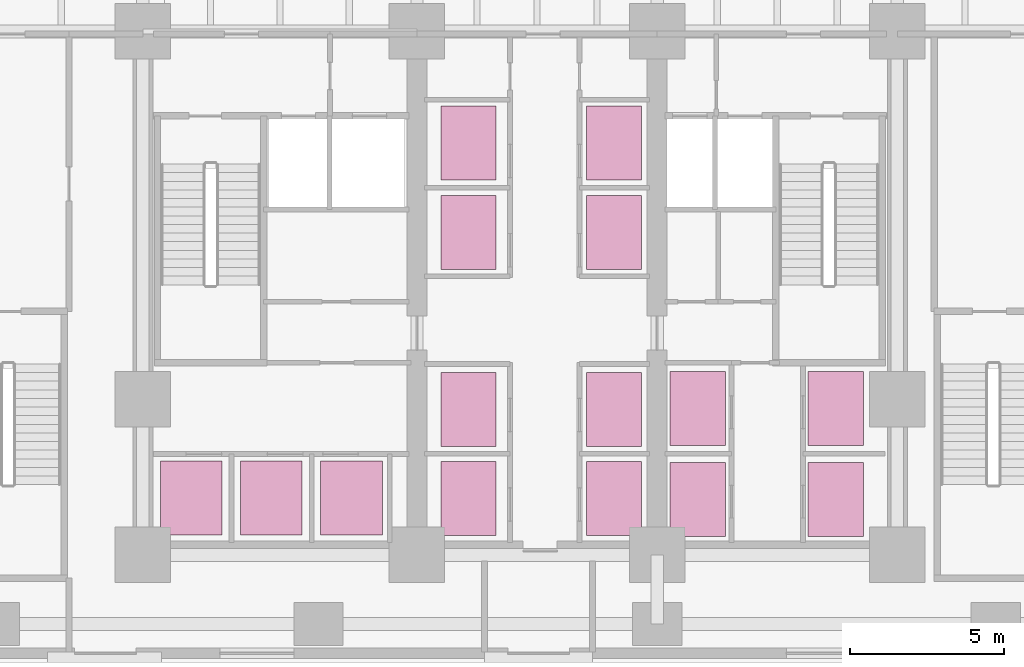
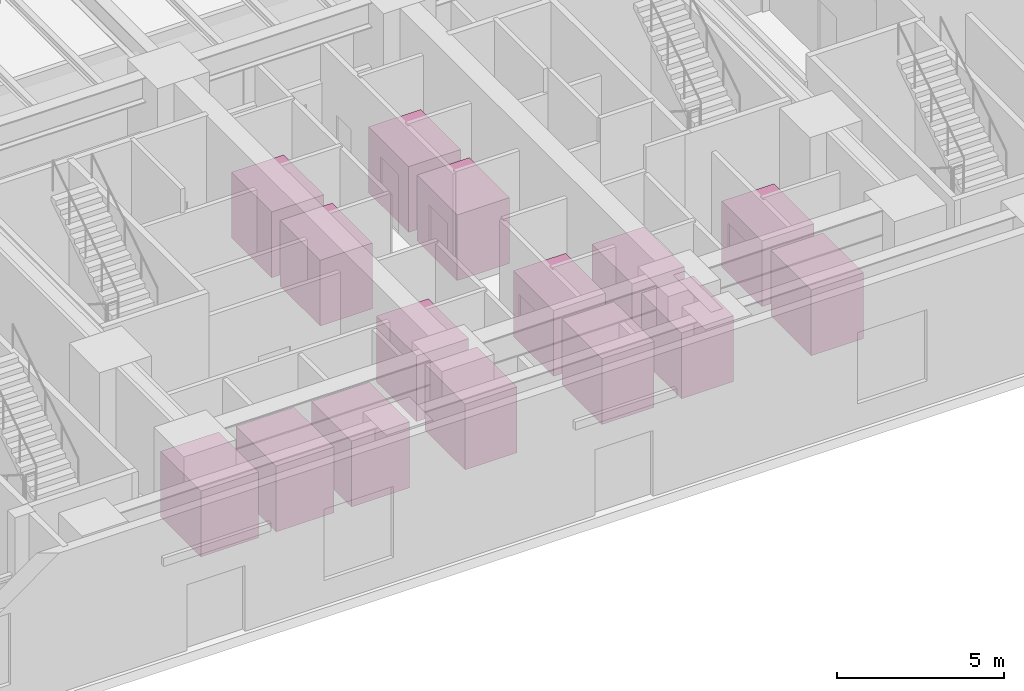
# One storey, part 19 of 19: 15 transport elements.
"""IFC4 building model written with IfcOpenShell, lengths in metres."""

import ifcopenshell
import ifcopenshell.guid

model = None  # the IFC model being written
_history = None  # IfcOwnerHistory: only IFC2X3 demands one
_inside = {}  # id of a spatial element -> (the spatial element, [elements in it])
_under = {}  # id of a project, library or spatial element -> (it, [spatial elements below it])
_declared = {}  # id of a project -> (the project, [libraries it declares])
_typed = {}  # id of a type object -> (the type object, [elements of that type])
_made_of = {}  # id of a material, layer set ... -> (it, [elements and type objects made of it])


def new_model(schema):
    """Start an empty IFC model of exactly this schema.

    Asked for "IFC4X3", IfcOpenShell would pick the latest addendum, in which some entities
    have other attributes; the version numbers below select the first issue.
    IFC2X3 requires an IfcOwnerHistory on every rooted entity: one is made here for all.
    """
    global model, _history
    if schema == "IFC4X3":
        model = ifcopenshell.file(schema_version=(4, 3, 0, 0))
    else:
        model = ifcopenshell.file(schema=schema)
    _inside.clear()
    _under.clear()
    _declared.clear()
    _typed.clear()
    _made_of.clear()
    _history = None
    if model.schema == "IFC2X3":
        org = make("IfcOrganization", Name="unknown")
        user = make(
            "IfcPersonAndOrganization",
            ThePerson=make("IfcPerson", FamilyName="unknown"),
            TheOrganization=org,
        )
        app = make(
            "IfcApplication",
            ApplicationDeveloper=org,
            Version="unknown",
            ApplicationFullName="unknown",
            ApplicationIdentifier="unknown",
        )
        _history = make(
            "IfcOwnerHistory",
            OwningUser=user,
            OwningApplication=app,
            ChangeAction="ADDED",
            CreationDate=0,
        )
    return model


def make(cls, **values):
    """One entity of the class cls with the attributes given. An attribute that is None is left unset."""
    return model.create_entity(
        cls, **{name: value for name, value in values.items() if value is not None}
    )


def rooted(cls, **values):
    """An entity with a GlobalId (a new one), such as an element, a storey or a relation."""
    return make(cls, GlobalId=ifcopenshell.guid.new(), OwnerHistory=_history, **values)


def si_unit(unit_type, name, prefix=None):
    """IfcSIUnit, for example si_unit("LENGTHUNIT", "METRE", prefix="MILLI")."""
    return make("IfcSIUnit", UnitType=unit_type, Prefix=prefix, Name=name)


def assignment(units):
    """IfcUnitAssignment: the units of a project."""
    return None if units is None else make("IfcUnitAssignment", Units=units)


def point(xyz):
    """IfcCartesianPoint."""
    return None if xyz is None else make("IfcCartesianPoint", Coordinates=xyz)


def direction(xyz):
    """IfcDirection."""
    return None if xyz is None else make("IfcDirection", DirectionRatios=xyz)


def frame(location, z_axis=None, x_axis=None):
    """IfcAxis2Placement3D, a coordinate frame: its origin and axes. An axis left out is left unset."""
    return make(
        "IfcAxis2Placement3D",
        Location=point(location),
        Axis=direction(z_axis),
        RefDirection=direction(x_axis),
    )


def origin():
    """The frame at (0, 0, 0) with its axes left unset."""
    return frame((0.0, 0.0, 0.0))


def place(relative_to, where):
    """IfcLocalPlacement: puts the frame where relative to a parent placement (None: the world)."""
    return make(
        "IfcLocalPlacement", PlacementRelTo=relative_to, RelativePlacement=where
    )


def context(
    kind, dimensions, precision=None, world=None, true_north=None, identifier=None
):
    """IfcGeometricRepresentationContext, for example the 3D "Model" context."""
    return make(
        "IfcGeometricRepresentationContext",
        ContextIdentifier=identifier,
        ContextType=kind,
        CoordinateSpaceDimension=dimensions,
        Precision=precision,
        WorldCoordinateSystem=world,
        TrueNorth=true_north,
    )


def subcontext(parent, identifier, kind, view, scale=None):
    """IfcGeometricRepresentationSubContext, for example "Body" below "Model"."""
    return make(
        "IfcGeometricRepresentationSubContext",
        ContextIdentifier=identifier,
        ContextType=kind,
        ParentContext=parent,
        TargetScale=scale,
        TargetView=view,
    )


def project(units=None, contexts=None):
    """IfcProject with its units and contexts."""
    return rooted(
        "IfcProject",
        Name="project",
        RepresentationContexts=contexts,
        UnitsInContext=assignment(units),
    )


def spatial(cls, under=None, at=None, **own):
    """A site, building, storey or space (cls), placed at a placement, below another one or the project."""
    s = rooted(cls, ObjectPlacement=at, **own)
    if under is not None:
        _under.setdefault(under.id(), (under, []))[1].append(s)
    return s


def polyline(points):
    """IfcPolyline through the points."""
    return make("IfcPolyline", Points=[point(p) for p in points])


def outline(outer, holes=None, kind="AREA"):
    """IfcArbitraryClosedProfileDef: a profile drawn as a closed curve; with holes, ...WithVoids."""
    if holes is None:
        return make("IfcArbitraryClosedProfileDef", ProfileType=kind, OuterCurve=outer)
    return make(
        "IfcArbitraryProfileDefWithVoids",
        ProfileType=kind,
        OuterCurve=outer,
        InnerCurves=holes,
    )


def extrude(swept, where, along, depth):
    """IfcExtrudedAreaSolid: the profile swept, set in the frame where, extruded along a direction by depth."""
    return make(
        "IfcExtrudedAreaSolid",
        SweptArea=swept,
        Position=where,
        ExtrudedDirection=direction(along),
        Depth=depth,
    )


def shape(context_of_items, identifier, shape_type, items):
    """IfcShapeRepresentation: the items that make up one representation, for example the "Body"."""
    return make(
        "IfcShapeRepresentation",
        ContextOfItems=context_of_items,
        RepresentationIdentifier=identifier,
        RepresentationType=shape_type,
        Items=items,
    )


def material(Name=None, Category=None):
    """IfcMaterial."""
    return make("IfcMaterial", Name=Name, Category=Category)


def made_of(thing, what):
    """Note that an element or type object is made of a material, layer set ...; save() writes the relation."""
    if what is not None:
        _made_of.setdefault(what.id(), (what, []))[1].append(thing)
    return thing


def type_object(cls, material=None, **own):
    """A type object (cls), such as IfcWallType, which elements share."""
    return made_of(rooted(cls, **own), material)


def element(
    cls,
    number,
    at=None,
    inside=None,
    cuts=None,
    type_object=None,
    material=None,
    context=None,
    identifier="Body",
    shape_type=None,
    held_by="IfcProductDefinitionShape",
    body=None,
    shapes=None,
    **own,
):
    """One element of the class cls, such as IfcWall. Its Tag is "e" and its number.

    at: its placement. inside: the storey or other place that contains it. cuts: it is an
    opening in that element (IfcRelVoidsElement). A single representation is given by context,
    identifier, shape_type and body (its items); several are given by shapes. held_by: the class
    of the entity that holds the representations. save() writes the other relations.
    """
    e = rooted(cls, Tag="e%d" % number, ObjectPlacement=at, **own)
    if body is not None:
        shapes = [shape(context, identifier, shape_type, body)]
    if shapes is not None:
        e.Representation = make(held_by, Representations=shapes)
    if inside is not None:
        _inside.setdefault(inside.id(), (inside, []))[1].append(e)
    if cuts is not None:
        rooted(
            "IfcRelVoidsElement", RelatingBuildingElement=cuts, RelatedOpeningElement=e
        )
    if type_object is not None:
        _typed.setdefault(type_object.id(), (type_object, []))[1].append(e)
    return made_of(e, material)


def aggregate(whole, parts):
    """IfcRelAggregates: a whole, such as a stair, and the parts it consists of."""
    return rooted("IfcRelAggregates", RelatingObject=whole, RelatedObjects=parts)


def save(model, path):
    """Write the relations noted so far, then the file.

    IfcRelAggregates (storeys below a building ...), IfcRelContainedInSpatialStructure (elements
    in a storey), IfcRelDefinesByType, IfcRelAssociatesMaterial and IfcRelDeclares: one each for
    every whole, place, type object, material and project.
    """
    for whole, parts in _under.values():
        aggregate(whole, parts)
    for where, things in _inside.values():
        rooted(
            "IfcRelContainedInSpatialStructure",
            RelatedElements=things,
            RelatingStructure=where,
        )
    for kind, things in _typed.values():
        rooted("IfcRelDefinesByType", RelatedObjects=things, RelatingType=kind)
    for what, things in _made_of.values():
        rooted("IfcRelAssociatesMaterial", RelatedObjects=things, RelatingMaterial=what)
    for by, libraries in _declared.values():
        rooted("IfcRelDeclares", RelatingContext=by, RelatedDefinitions=libraries)
    model.write(path)


model = new_model("IFC4")

# Units and contexts
model_context = context("Model", 3, precision=1e-05, world=origin(), true_north=direction((0.0, 1.0)))
body_context = subcontext(model_context, "Body", "Model", "MODEL_VIEW")
ifc_project = project(units=[si_unit("LENGTHUNIT", "METRE"), si_unit("AREAUNIT", "SQUARE_METRE"), si_unit("VOLUMEUNIT", "CUBIC_METRE"), si_unit("PLANEANGLEUNIT", "RADIAN"), si_unit("MASSUNIT", "GRAM", prefix="KILO")], contexts=[model_context])

# Site, building, storey
site_placement = place(None, origin())
site = spatial("IfcSite", under=ifc_project, at=site_placement, CompositionType="ELEMENT")
building_placement = place(site_placement, origin())
building = spatial("IfcBuilding", under=site, at=building_placement, Name="Qalmaran Belvedere Hotel", CompositionType="ELEMENT")
storey_placement = place(building_placement, origin())
storey = spatial("IfcBuildingStorey", under=building, at=storey_placement, Name="L00", CompositionType="ELEMENT", Elevation=0.0)

# Transport elements
ifc_material = material(Name="Stainless Steel 1.4401", Category="steel")
transport_element_type_1 = type_object("IfcTransportElementType", Name="LFT-P_HIGH-1800X2400", PredefinedType="ELEVATOR", material=ifc_material)
transport_element_1_placement = place(storey_placement, origin())
element("IfcTransportElement", 1, at=transport_element_1_placement, inside=storey, type_object=transport_element_type_1, Name="Elevator PH1 (P_HIGH)", PredefinedType="ELEVATOR", context=body_context, shape_type="SweptSolid", body=[
    extrude(outline(polyline([(37.425048828125, 4.10009765625), (39.22509765625, 4.10009765625), (39.22509765625, 6.5), (37.425048828125, 6.5), (37.425048828125, 4.10009765625)])), origin(), (0.0, 0.0, 1.0), 2.39990234375),
])
transport_element_2_placement = place(storey_placement, origin())
element("IfcTransportElement", 2, at=transport_element_2_placement, inside=storey, type_object=transport_element_type_1, Name="Elevator PH2 (P_HIGH)", PredefinedType="ELEVATOR", context=body_context, shape_type="SweptSolid", body=[
    extrude(outline(polyline([(37.425048828125, 7.050048828125), (39.22509765625, 7.050048828125), (39.22509765625, 9.449951171875), (37.425048828125, 9.449951171875), (37.425048828125, 7.050048828125)])), origin(), (0.0, 0.0, 1.0), 2.39990234375),
])
transport_element_3_placement = place(storey_placement, origin())
element("IfcTransportElement", 3, at=transport_element_3_placement, inside=storey, type_object=transport_element_type_1, Name="Elevator PH3 (P_HIGH)", PredefinedType="ELEVATOR", context=body_context, shape_type="SweptSolid", body=[
    extrude(outline(polyline([(41.89990234375, 4.10009765625), (43.699951171875, 4.10009765625), (43.699951171875, 6.5), (41.89990234375, 6.5), (41.89990234375, 4.10009765625)])), origin(), (0.0, 0.0, 1.0), 2.39990234375),
])
transport_element_4_placement = place(storey_placement, origin())
element("IfcTransportElement", 4, at=transport_element_4_placement, inside=storey, type_object=transport_element_type_1, Name="Elevator PH4 (P_HIGH)", PredefinedType="ELEVATOR", context=body_context, shape_type="SweptSolid", body=[
    extrude(outline(polyline([(41.89990234375, 7.050048828125), (43.699951171875, 7.050048828125), (43.699951171875, 9.449951171875), (41.89990234375, 9.449951171875), (41.89990234375, 7.050048828125)])), origin(), (0.0, 0.0, 1.0), 2.39990234375),
])
transport_element_type_2 = type_object("IfcTransportElementType", Name="LFT-P_LOW-1800X2400", PredefinedType="ELEVATOR", material=ifc_material)
transport_element_5_placement = place(storey_placement, origin())
element("IfcTransportElement", 5, at=transport_element_5_placement, inside=storey, type_object=transport_element_type_2, Name="Elevator PL1 (P_LOW)", PredefinedType="ELEVATOR", context=body_context, shape_type="SweptSolid", body=[
    extrude(outline(polyline([(29.97509765625, 4.125), (31.77490234375, 4.125), (31.77490234375, 6.52490234375), (29.97509765625, 6.52490234375), (29.97509765625, 4.125)])), origin(), (0.0, 0.0, 1.0), 2.39990234375),
])
transport_element_6_placement = place(storey_placement, origin())
element("IfcTransportElement", 6, at=transport_element_6_placement, inside=storey, type_object=transport_element_type_2, Name="Elevator PL2 (P_LOW)", PredefinedType="ELEVATOR", context=body_context, shape_type="SweptSolid", body=[
    extrude(outline(polyline([(29.97509765625, 7.02490234375), (31.77490234375, 7.02490234375), (31.77490234375, 9.425048828125), (29.97509765625, 9.425048828125), (29.97509765625, 7.02490234375)])), origin(), (0.0, 0.0, 1.0), 2.39990234375),
])
transport_element_7_placement = place(storey_placement, origin())
element("IfcTransportElement", 7, at=transport_element_7_placement, inside=storey, type_object=transport_element_type_2, Name="Elevator PL3 (P_LOW)", PredefinedType="ELEVATOR", context=body_context, shape_type="SweptSolid", body=[
    extrude(outline(polyline([(34.699951171875, 4.125), (36.5, 4.125), (36.5, 6.52490234375), (34.699951171875, 6.52490234375), (34.699951171875, 4.125)])), origin(), (0.0, 0.0, 1.0), 2.39990234375),
])
transport_element_8_placement = place(storey_placement, origin())
element("IfcTransportElement", 8, at=transport_element_8_placement, inside=storey, type_object=transport_element_type_2, Name="Elevator PL4 (P_LOW)", PredefinedType="ELEVATOR", context=body_context, shape_type="SweptSolid", body=[
    extrude(outline(polyline([(34.699951171875, 7.02490234375), (36.5, 7.02490234375), (36.5, 9.425048828125), (34.699951171875, 9.425048828125), (34.699951171875, 7.02490234375)])), origin(), (0.0, 0.0, 1.0), 2.39990234375),
])
transport_element_type_3 = type_object("IfcTransportElementType", Name="LFT-P_MID-1800X2400", PredefinedType="ELEVATOR", material=ifc_material)
transport_element_9_placement = place(storey_placement, origin())
element("IfcTransportElement", 9, at=transport_element_9_placement, inside=storey, type_object=transport_element_type_3, Name="Elevator PM1 (P_MID)", PredefinedType="ELEVATOR", context=body_context, shape_type="SweptSolid", body=[
    extrude(outline(polyline([(29.97509765625, 12.77490234375), (31.77490234375, 12.77490234375), (31.77490234375, 15.175048828125), (29.97509765625, 15.175048828125), (29.97509765625, 12.77490234375)])), origin(), (0.0, 0.0, 1.0), 2.39990234375),
])
transport_element_10_placement = place(storey_placement, origin())
element("IfcTransportElement", 10, at=transport_element_10_placement, inside=storey, type_object=transport_element_type_3, Name="Elevator PM2 (P_MID)", PredefinedType="ELEVATOR", context=body_context, shape_type="SweptSolid", body=[
    extrude(outline(polyline([(29.97509765625, 15.675048828125), (31.77490234375, 15.675048828125), (31.77490234375, 18.074951171875), (29.97509765625, 18.074951171875), (29.97509765625, 15.675048828125)])), origin(), (0.0, 0.0, 1.0), 2.39990234375),
])
transport_element_11_placement = place(storey_placement, origin())
element("IfcTransportElement", 11, at=transport_element_11_placement, inside=storey, type_object=transport_element_type_3, Name="Elevator PM3 (P_MID)", PredefinedType="ELEVATOR", context=body_context, shape_type="SweptSolid", body=[
    extrude(outline(polyline([(34.699951171875, 12.77490234375), (36.5, 12.77490234375), (36.5, 15.175048828125), (34.699951171875, 15.175048828125), (34.699951171875, 12.77490234375)])), origin(), (0.0, 0.0, 1.0), 2.39990234375),
])
transport_element_12_placement = place(storey_placement, origin())
element("IfcTransportElement", 12, at=transport_element_12_placement, inside=storey, type_object=transport_element_type_3, Name="Elevator PM4 (P_MID)", PredefinedType="ELEVATOR", context=body_context, shape_type="SweptSolid", body=[
    extrude(outline(polyline([(34.699951171875, 15.675048828125), (36.5, 15.675048828125), (36.5, 18.074951171875), (34.699951171875, 18.074951171875), (34.699951171875, 15.675048828125)])), origin(), (0.0, 0.0, 1.0), 2.39990234375),
])
transport_element_type_4 = type_object("IfcTransportElementType", Name="LFT-P_OBS-2000X2400", PredefinedType="ELEVATOR", material=ifc_material)
transport_element_13_placement = place(storey_placement, origin())
element("IfcTransportElement", 13, at=transport_element_13_placement, inside=storey, type_object=transport_element_type_4, Name="Elevator PO1 (P_OBS)", PredefinedType="ELEVATOR", context=body_context, shape_type="SweptSolid", body=[
    extrude(outline(polyline([(20.875, 4.14990234375), (22.875, 4.14990234375), (22.875, 6.550048828125), (20.875, 6.550048828125), (20.875, 4.14990234375)])), origin(), (0.0, 0.0, 1.0), 2.39990234375),
])
transport_element_14_placement = place(storey_placement, origin())
element("IfcTransportElement", 14, at=transport_element_14_placement, inside=storey, type_object=transport_element_type_4, Name="Elevator PO2 (P_OBS)", PredefinedType="ELEVATOR", context=body_context, shape_type="SweptSolid", body=[
    extrude(outline(polyline([(23.47509765625, 4.14990234375), (25.47509765625, 4.14990234375), (25.47509765625, 6.550048828125), (23.47509765625, 6.550048828125), (23.47509765625, 4.14990234375)])), origin(), (0.0, 0.0, 1.0), 2.39990234375),
])
transport_element_15_placement = place(storey_placement, origin())
element("IfcTransportElement", 15, at=transport_element_15_placement, inside=storey, type_object=transport_element_type_4, Name="Elevator PO3 (P_OBS)", PredefinedType="ELEVATOR", context=body_context, shape_type="SweptSolid", body=[
    extrude(outline(polyline([(26.074951171875, 4.14990234375), (28.074951171875, 4.14990234375), (28.074951171875, 6.550048828125), (26.074951171875, 6.550048828125), (26.074951171875, 4.14990234375)])), origin(), (0.0, 0.0, 1.0), 2.39990234375),
])

save(model, "model.ifc")
